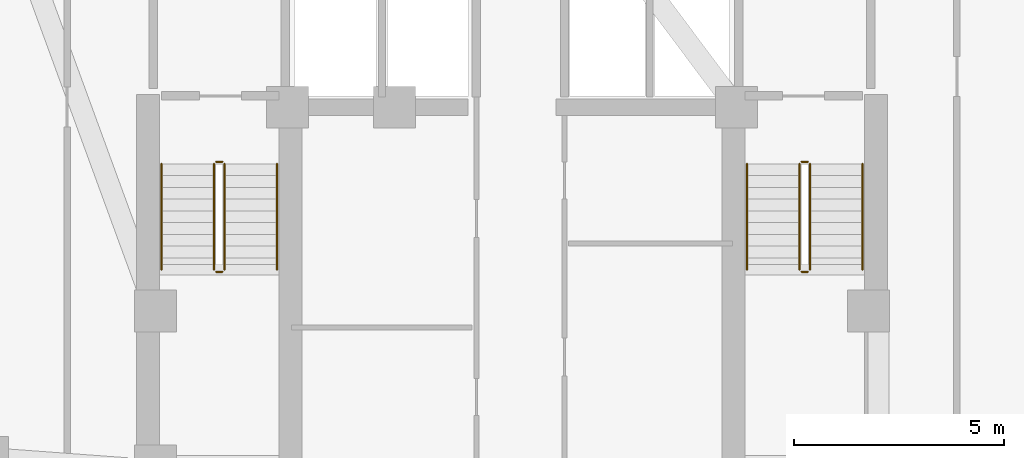
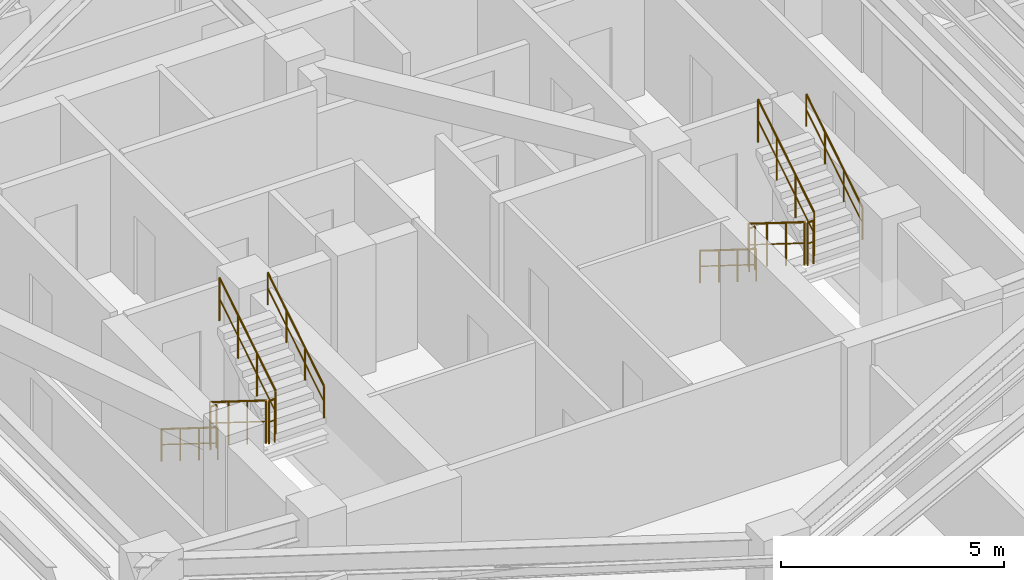
# One storey, part 8 of 8: 12 railings.
"""IFC4 building model written with IfcOpenShell, lengths in metres."""

from ifc_helpers import new_model, si_unit, direction, frame, origin, origin_2d, place, context, subcontext, project, spatial, circle, extrude, material, type_object, element, save


model = new_model("IFC4")

# Units and contexts
model_context = context("Model", 3, precision=1e-05, world=origin(), true_north=direction((0.0, 1.0)))
body_context = subcontext(model_context, "Body", "Model", "MODEL_VIEW")
ifc_project = project(units=[si_unit("LENGTHUNIT", "METRE"), si_unit("AREAUNIT", "SQUARE_METRE"), si_unit("VOLUMEUNIT", "CUBIC_METRE"), si_unit("PLANEANGLEUNIT", "RADIAN"), si_unit("MASSUNIT", "GRAM", prefix="KILO")], contexts=[model_context])

# Site, building, storey
site_placement = place(None, origin())
site = spatial("IfcSite", under=ifc_project, at=site_placement, CompositionType="ELEMENT")
building_placement = place(site_placement, origin())
building = spatial("IfcBuilding", under=site, at=building_placement, Name="Miruveldt Soraemaru", CompositionType="ELEMENT")
storey_placement = place(building_placement, frame((0.0, 0.0, 177.39990234375)))
storey = spatial("IfcBuildingStorey", under=building, at=storey_placement, Name="L49", CompositionType="ELEMENT", Elevation=177.39990234375)

# Railings
ifc_material = material(Name="Steel S355 (355 MPa)", Category="steel")
railing_type_1 = type_object("IfcRailingType", Name="RAIL-HR-900", PredefinedType="HANDRAIL", material=ifc_material)
railing_1_placement = place(storey_placement, frame((35.64990234375, 42.699951171875, 0.175048828125)))
element("IfcRailing", 1, at=railing_1_placement, inside=storey, type_object=railing_type_1, Name="L49 ST-1 stair handrail 1", PredefinedType="HANDRAIL", context=body_context, shape_type="SweptSolid", body=[
    extrude(circle(Radius=0.02392578125, at=origin_2d()), frame((0.0, 0.0, 0.8759765625), z_axis=(0.0, -0.848007534815, 0.529984170421), x_axis=(1.0, 0.0, 0.0)), (0.0, 0.0, 1.0), 2.9716796875),
    extrude(circle(Radius=0.01611328125, at=origin_2d()), frame((0.0, 0.0, 0.449951171875), z_axis=(0.0, -0.848007534815, 0.529984170421), x_axis=(1.0, 0.0, 0.0)), (0.0, 0.0, 1.0), 2.9716796875),
    extrude(circle(Radius=0.02099609375, at=origin_2d()), origin(), (0.0, 0.0, 1.0), 0.851806640625),
    extrude(circle(Radius=0.02099609375, at=origin_2d()), frame((0.0, -0.840087890625, 0.52490234375)), (0.0, 0.0, 1.0), 0.851806640625),
    extrude(circle(Radius=0.02099609375, at=origin_2d()), frame((0.0, -1.679931640625, 1.050048828125)), (0.0, 0.0, 1.0), 0.851806640625),
    extrude(circle(Radius=0.02099609375, at=origin_2d()), frame((0.0, -2.52001953125, 1.574951171875)), (0.0, 0.0, 1.0), 0.851806640625),
])
railing_2_placement = place(storey_placement, frame((38.39990234375, 40.179931640625, 1.925048828125)))
element("IfcRailing", 2, at=railing_2_placement, inside=storey, type_object=railing_type_1, Name="L49 ST-1 stair handrail 2", PredefinedType="HANDRAIL", context=body_context, shape_type="SweptSolid", body=[
    extrude(circle(Radius=0.02392578125, at=origin_2d()), frame((0.0, 0.0, 0.8759765625), z_axis=(0.0, 0.848007534815, 0.529984170421), x_axis=(-1.0, 0.0, 0.0)), (0.0, 0.0, 1.0), 2.9716796875),
    extrude(circle(Radius=0.01611328125, at=origin_2d()), frame((0.0, 0.0, 0.449951171875), z_axis=(0.0, 0.848007534815, 0.529984170421), x_axis=(-1.0, 0.0, 0.0)), (0.0, 0.0, 1.0), 2.9716796875),
    extrude(circle(Radius=0.02099609375, at=origin_2d()), origin(), (0.0, 0.0, 1.0), 0.851806640625),
    extrude(circle(Radius=0.02099609375, at=origin_2d()), frame((0.0, 0.840087890625, 0.52490234375)), (0.0, 0.0, 1.0), 0.851806640625),
    extrude(circle(Radius=0.02099609375, at=origin_2d()), frame((0.0, 1.679931640625, 1.050048828125)), (0.0, 0.0, 1.0), 0.851806640625),
    extrude(circle(Radius=0.02099609375, at=origin_2d()), frame((0.0, 2.52001953125, 1.574951171875)), (0.0, 0.0, 1.0), 0.851806640625),
])
railing_3_placement = place(storey_placement, frame((49.60009765625, 42.699951171875, 0.175048828125)))
element("IfcRailing", 3, at=railing_3_placement, inside=storey, type_object=railing_type_1, Name="L49 ST-2 stair handrail 1", PredefinedType="HANDRAIL", context=body_context, shape_type="SweptSolid", body=[
    extrude(circle(Radius=0.02392578125, at=origin_2d()), frame((0.0, 0.0, 0.8759765625), z_axis=(0.0, -0.848007534815, 0.529984170421), x_axis=(1.0, 0.0, 0.0)), (0.0, 0.0, 1.0), 2.9716796875),
    extrude(circle(Radius=0.01611328125, at=origin_2d()), frame((0.0, 0.0, 0.449951171875), z_axis=(0.0, -0.848007534815, 0.529984170421), x_axis=(1.0, 0.0, 0.0)), (0.0, 0.0, 1.0), 2.9716796875),
    extrude(circle(Radius=0.02099609375, at=origin_2d()), origin(), (0.0, 0.0, 1.0), 0.851806640625),
    extrude(circle(Radius=0.02099609375, at=origin_2d()), frame((0.0, -0.840087890625, 0.52490234375)), (0.0, 0.0, 1.0), 0.851806640625),
    extrude(circle(Radius=0.02099609375, at=origin_2d()), frame((0.0, -1.679931640625, 1.050048828125)), (0.0, 0.0, 1.0), 0.851806640625),
    extrude(circle(Radius=0.02099609375, at=origin_2d()), frame((0.0, -2.52001953125, 1.574951171875)), (0.0, 0.0, 1.0), 0.851806640625),
])
railing_4_placement = place(storey_placement, frame((52.35009765625, 40.179931640625, 1.925048828125)))
element("IfcRailing", 4, at=railing_4_placement, inside=storey, type_object=railing_type_1, Name="L49 ST-2 stair handrail 2", PredefinedType="HANDRAIL", context=body_context, shape_type="SweptSolid", body=[
    extrude(circle(Radius=0.02392578125, at=origin_2d()), frame((0.0, 0.0, 0.8759765625), z_axis=(0.0, 0.848007534815, 0.529984170421), x_axis=(-1.0, 0.0, 0.0)), (0.0, 0.0, 1.0), 2.9716796875),
    extrude(circle(Radius=0.01611328125, at=origin_2d()), frame((0.0, 0.0, 0.449951171875), z_axis=(0.0, 0.848007534815, 0.529984170421), x_axis=(-1.0, 0.0, 0.0)), (0.0, 0.0, 1.0), 2.9716796875),
    extrude(circle(Radius=0.02099609375, at=origin_2d()), origin(), (0.0, 0.0, 1.0), 0.851806640625),
    extrude(circle(Radius=0.02099609375, at=origin_2d()), frame((0.0, 0.840087890625, 0.52490234375)), (0.0, 0.0, 1.0), 0.851806640625),
    extrude(circle(Radius=0.02099609375, at=origin_2d()), frame((0.0, 1.679931640625, 1.050048828125)), (0.0, 0.0, 1.0), 0.851806640625),
    extrude(circle(Radius=0.02099609375, at=origin_2d()), frame((0.0, 2.52001953125, 1.574951171875)), (0.0, 0.0, 1.0), 0.851806640625),
])
railing_type_2 = type_object("IfcRailingType", Name="RAIL-STGUARD-1200", PredefinedType="GUARDRAIL", material=ifc_material)
railing_5_placement = place(storey_placement, frame((36.89990234375, 42.699951171875, 0.175048828125)))
element("IfcRailing", 5, at=railing_5_placement, inside=storey, type_object=railing_type_2, Name="L49 ST-1 stair guard 1", PredefinedType="GUARDRAIL", context=body_context, shape_type="SweptSolid", body=[
    extrude(circle(Radius=0.02392578125, at=origin_2d()), frame((0.0, 0.0, 1.17578125), z_axis=(0.0, -0.848007534815, 0.529984170421), x_axis=(1.0, 0.0, 0.0)), (0.0, 0.0, 1.0), 2.9716796875),
    extrude(circle(Radius=0.01611328125, at=origin_2d()), frame((0.0, 0.0, 0.60009765625), z_axis=(0.0, -0.848007534815, 0.529984170421), x_axis=(1.0, 0.0, 0.0)), (0.0, 0.0, 1.0), 2.9716796875),
    extrude(circle(Radius=0.02099609375, at=origin_2d()), origin(), (0.0, 0.0, 1.0), 1.15185546875),
    extrude(circle(Radius=0.02099609375, at=origin_2d()), frame((0.0, -0.840087890625, 0.52490234375)), (0.0, 0.0, 1.0), 1.15185546875),
    extrude(circle(Radius=0.02099609375, at=origin_2d()), frame((0.0, -1.679931640625, 1.050048828125)), (0.0, 0.0, 1.0), 1.15185546875),
    extrude(circle(Radius=0.02099609375, at=origin_2d()), frame((0.0, -2.52001953125, 1.574951171875)), (0.0, 0.0, 1.0), 1.15185546875),
])
railing_6_placement = place(storey_placement, frame((36.949951171875, 40.1298828125, 1.75)))
element("IfcRailing", 6, at=railing_6_placement, inside=storey, type_object=railing_type_2, Name="L49 ST-1 stair guard 2", PredefinedType="GUARDRAIL", context=body_context, shape_type="SweptSolid", body=[
    extrude(circle(Radius=0.02392578125, at=origin_2d()), frame((0.0, 0.0, 1.17578125), z_axis=(1.0, 0.0, 0.0), x_axis=(0.0, 1.0, 0.0)), (0.0, 0.0, 1.0), 0.150146484375),
    extrude(circle(Radius=0.01611328125, at=origin_2d()), frame((0.0, 0.0, 0.60009765625), z_axis=(1.0, 0.0, 0.0), x_axis=(0.0, 1.0, 0.0)), (0.0, 0.0, 1.0), 0.150146484375),
    extrude(circle(Radius=0.02099609375, at=origin_2d()), origin(), (0.0, 0.0, 1.0), 1.15185546875),
    extrude(circle(Radius=0.02099609375, at=origin_2d()), frame((0.150146484375, 0.0, 0.0)), (0.0, 0.0, 1.0), 1.15185546875),
])
railing_7_placement = place(storey_placement, frame((37.14990234375, 40.179931640625, 1.925048828125)))
element("IfcRailing", 7, at=railing_7_placement, inside=storey, type_object=railing_type_2, Name="L49 ST-1 stair guard 3", PredefinedType="GUARDRAIL", context=body_context, shape_type="SweptSolid", body=[
    extrude(circle(Radius=0.02392578125, at=origin_2d()), frame((0.0, 0.0, 1.17578125), z_axis=(0.0, 0.848007534815, 0.529984170421), x_axis=(-1.0, 0.0, 0.0)), (0.0, 0.0, 1.0), 2.9716796875),
    extrude(circle(Radius=0.01611328125, at=origin_2d()), frame((0.0, 0.0, 0.60009765625), z_axis=(0.0, 0.848007534815, 0.529984170421), x_axis=(-1.0, 0.0, 0.0)), (0.0, 0.0, 1.0), 2.9716796875),
    extrude(circle(Radius=0.02099609375, at=origin_2d()), origin(), (0.0, 0.0, 1.0), 1.15185546875),
    extrude(circle(Radius=0.02099609375, at=origin_2d()), frame((0.0, 0.840087890625, 0.52490234375)), (0.0, 0.0, 1.0), 1.15185546875),
    extrude(circle(Radius=0.02099609375, at=origin_2d()), frame((0.0, 1.679931640625, 1.050048828125)), (0.0, 0.0, 1.0), 1.15185546875),
    extrude(circle(Radius=0.02099609375, at=origin_2d()), frame((0.0, 2.52001953125, 1.574951171875)), (0.0, 0.0, 1.0), 1.15185546875),
])
railing_8_placement = place(storey_placement, frame((36.949951171875, 42.75, 0.0)))
element("IfcRailing", 8, at=railing_8_placement, inside=storey, type_object=railing_type_2, Name="L49 ST-1 stair guard 4", PredefinedType="GUARDRAIL", context=body_context, shape_type="SweptSolid", body=[
    extrude(circle(Radius=0.02392578125, at=origin_2d()), frame((0.0, 0.0, 1.17578125), z_axis=(1.0, 0.0, 0.0), x_axis=(0.0, 1.0, 0.0)), (0.0, 0.0, 1.0), 0.150146484375),
    extrude(circle(Radius=0.01611328125, at=origin_2d()), frame((0.0, 0.0, 0.60009765625), z_axis=(1.0, 0.0, 0.0), x_axis=(0.0, 1.0, 0.0)), (0.0, 0.0, 1.0), 0.150146484375),
    extrude(circle(Radius=0.02099609375, at=origin_2d()), origin(), (0.0, 0.0, 1.0), 1.15185546875),
    extrude(circle(Radius=0.02099609375, at=origin_2d()), frame((0.150146484375, 0.0, 0.0)), (0.0, 0.0, 1.0), 1.15185546875),
])
railing_9_placement = place(storey_placement, frame((50.85009765625, 42.699951171875, 0.175048828125)))
element("IfcRailing", 9, at=railing_9_placement, inside=storey, type_object=railing_type_2, Name="L49 ST-2 stair guard 1", PredefinedType="GUARDRAIL", context=body_context, shape_type="SweptSolid", body=[
    extrude(circle(Radius=0.02392578125, at=origin_2d()), frame((0.0, 0.0, 1.17578125), z_axis=(0.0, -0.848007534815, 0.529984170421), x_axis=(1.0, 0.0, 0.0)), (0.0, 0.0, 1.0), 2.9716796875),
    extrude(circle(Radius=0.01611328125, at=origin_2d()), frame((0.0, 0.0, 0.60009765625), z_axis=(0.0, -0.848007534815, 0.529984170421), x_axis=(1.0, 0.0, 0.0)), (0.0, 0.0, 1.0), 2.9716796875),
    extrude(circle(Radius=0.02099609375, at=origin_2d()), origin(), (0.0, 0.0, 1.0), 1.15185546875),
    extrude(circle(Radius=0.02099609375, at=origin_2d()), frame((0.0, -0.840087890625, 0.52490234375)), (0.0, 0.0, 1.0), 1.15185546875),
    extrude(circle(Radius=0.02099609375, at=origin_2d()), frame((0.0, -1.679931640625, 1.050048828125)), (0.0, 0.0, 1.0), 1.15185546875),
    extrude(circle(Radius=0.02099609375, at=origin_2d()), frame((0.0, -2.52001953125, 1.574951171875)), (0.0, 0.0, 1.0), 1.15185546875),
])
railing_10_placement = place(storey_placement, frame((50.89990234375, 40.1298828125, 1.75)))
element("IfcRailing", 10, at=railing_10_placement, inside=storey, type_object=railing_type_2, Name="L49 ST-2 stair guard 2", PredefinedType="GUARDRAIL", context=body_context, shape_type="SweptSolid", body=[
    extrude(circle(Radius=0.02392578125, at=origin_2d()), frame((0.0, 0.0, 1.17578125), z_axis=(1.0, 0.0, 0.0), x_axis=(0.0, 1.0, 0.0)), (0.0, 0.0, 1.0), 0.150146484375),
    extrude(circle(Radius=0.01611328125, at=origin_2d()), frame((0.0, 0.0, 0.60009765625), z_axis=(1.0, 0.0, 0.0), x_axis=(0.0, 1.0, 0.0)), (0.0, 0.0, 1.0), 0.150146484375),
    extrude(circle(Radius=0.02099609375, at=origin_2d()), origin(), (0.0, 0.0, 1.0), 1.15185546875),
    extrude(circle(Radius=0.02099609375, at=origin_2d()), frame((0.150146484375, 0.0, 0.0)), (0.0, 0.0, 1.0), 1.15185546875),
])
railing_11_placement = place(storey_placement, frame((51.10009765625, 40.179931640625, 1.925048828125)))
element("IfcRailing", 11, at=railing_11_placement, inside=storey, type_object=railing_type_2, Name="L49 ST-2 stair guard 3", PredefinedType="GUARDRAIL", context=body_context, shape_type="SweptSolid", body=[
    extrude(circle(Radius=0.02392578125, at=origin_2d()), frame((0.0, 0.0, 1.17578125), z_axis=(0.0, 0.848007534815, 0.529984170421), x_axis=(-1.0, 0.0, 0.0)), (0.0, 0.0, 1.0), 2.9716796875),
    extrude(circle(Radius=0.01611328125, at=origin_2d()), frame((0.0, 0.0, 0.60009765625), z_axis=(0.0, 0.848007534815, 0.529984170421), x_axis=(-1.0, 0.0, 0.0)), (0.0, 0.0, 1.0), 2.9716796875),
    extrude(circle(Radius=0.02099609375, at=origin_2d()), origin(), (0.0, 0.0, 1.0), 1.15185546875),
    extrude(circle(Radius=0.02099609375, at=origin_2d()), frame((0.0, 0.840087890625, 0.52490234375)), (0.0, 0.0, 1.0), 1.15185546875),
    extrude(circle(Radius=0.02099609375, at=origin_2d()), frame((0.0, 1.679931640625, 1.050048828125)), (0.0, 0.0, 1.0), 1.15185546875),
    extrude(circle(Radius=0.02099609375, at=origin_2d()), frame((0.0, 2.52001953125, 1.574951171875)), (0.0, 0.0, 1.0), 1.15185546875),
])
railing_12_placement = place(storey_placement, frame((50.89990234375, 42.75, 0.0)))
element("IfcRailing", 12, at=railing_12_placement, inside=storey, type_object=railing_type_2, Name="L49 ST-2 stair guard 4", PredefinedType="GUARDRAIL", context=body_context, shape_type="SweptSolid", body=[
    extrude(circle(Radius=0.02392578125, at=origin_2d()), frame((0.0, 0.0, 1.17578125), z_axis=(1.0, 0.0, 0.0), x_axis=(0.0, 1.0, 0.0)), (0.0, 0.0, 1.0), 0.150146484375),
    extrude(circle(Radius=0.01611328125, at=origin_2d()), frame((0.0, 0.0, 0.60009765625), z_axis=(1.0, 0.0, 0.0), x_axis=(0.0, 1.0, 0.0)), (0.0, 0.0, 1.0), 0.150146484375),
    extrude(circle(Radius=0.02099609375, at=origin_2d()), origin(), (0.0, 0.0, 1.0), 1.15185546875),
    extrude(circle(Radius=0.02099609375, at=origin_2d()), frame((0.150146484375, 0.0, 0.0)), (0.0, 0.0, 1.0), 1.15185546875),
])

save(model, "model.ifc")
